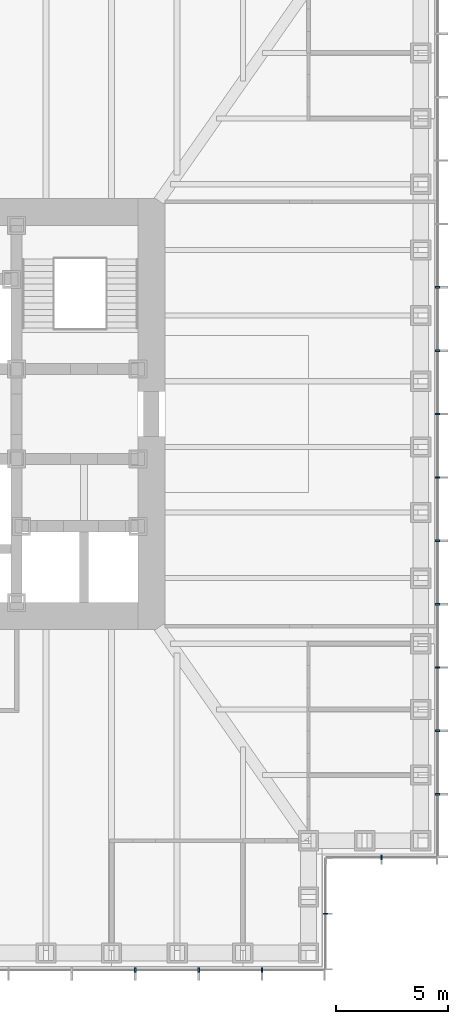
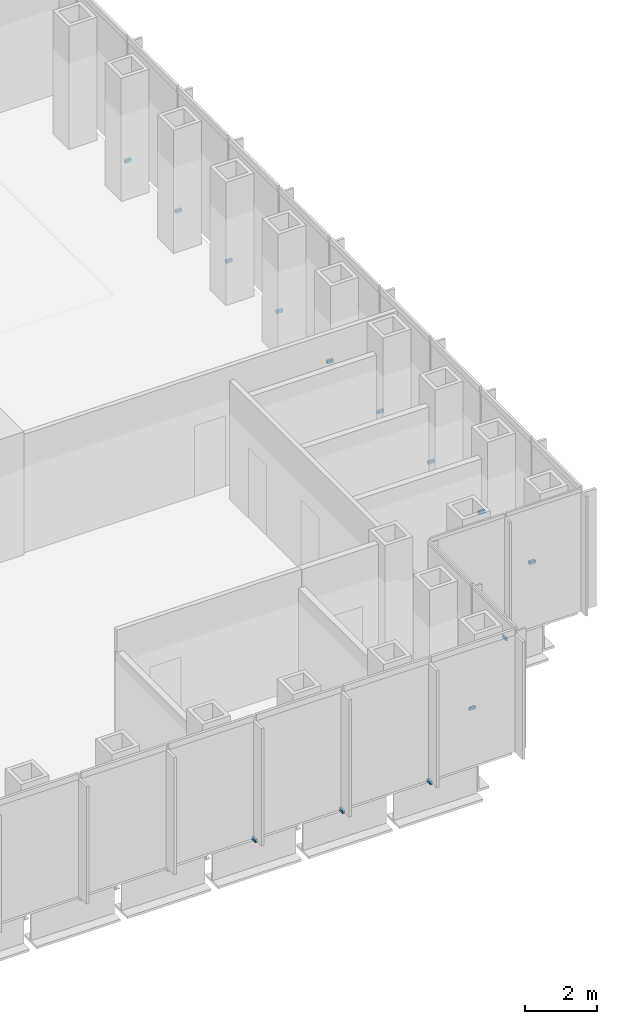
# One storey, part 14 of 17: 14 discrete accessories.
"""IFC4 building model written with IfcOpenShell, lengths in metres."""

from ifc_helpers import new_model, si_unit, direction, frame, origin, origin_2d, place, context, subcontext, project, spatial, rectangle, extrude, element, save


model = new_model("IFC4")

# Units and contexts
model_context = context("Model", 3, precision=1e-05, world=origin(), true_north=direction((0.0, 1.0)))
body_context = subcontext(model_context, "Body", "Model", "MODEL_VIEW")
ifc_project = project(units=[si_unit("LENGTHUNIT", "METRE"), si_unit("AREAUNIT", "SQUARE_METRE"), si_unit("VOLUMEUNIT", "CUBIC_METRE"), si_unit("PLANEANGLEUNIT", "RADIAN"), si_unit("MASSUNIT", "GRAM", prefix="KILO")], contexts=[model_context])

# Site, building, storey
site_placement = place(None, origin())
site = spatial("IfcSite", under=ifc_project, at=site_placement, CompositionType="ELEMENT")
building_placement = place(site_placement, origin())
building = spatial("IfcBuilding", under=site, at=building_placement, Name="Daluyong Arena Tower", CompositionType="ELEMENT")
storey_placement = place(building_placement, frame((0.0, 0.0, 85.300048828125)))
storey = spatial("IfcBuildingStorey", under=building, at=storey_placement, Name="L18", CompositionType="ELEMENT", Elevation=85.300048828125)

# Discrete accessories
for number, where, z_axis, x_axis, name in (
    (1, (67.28564453125, 55.25, -0.10009765625), (0.0, 0.0, 1.0), (1.0, 0.0, 0.0), "curtain wall L18 S anchor bracket 12"),
    (2, (70.107177734375, 55.25, -0.10009765625), (0.0, 0.0, 1.0), (1.0, 0.0, 0.0), "curtain wall L18 S anchor bracket 13"),
    (3, (72.928466796875, 55.25, -0.10009765625), (0.0, 0.0, 1.0), (1.0, 0.0, 0.0), "curtain wall L18 S anchor bracket 14"),
):
    element("IfcDiscreteAccessory", number, at=place(storey_placement, frame(where, z_axis=z_axis, x_axis=x_axis)), inside=storey, Name=name, PredefinedType="BRACKET", context=body_context, shape_type="SweptSolid", body=[
        extrude(rectangle(XDim=0.080078125, YDim=0.199951171875, at=origin_2d()), origin(), (0.0, 0.0, 1.0), 0.10009765625),
    ])
for number, where, z_axis, x_axis, name in (
    (4, (75.75, 57.75, -0.10009765625), (0.0, 0.0, 1.0), (0.0, 1.0, 0.0), "curtain wall L18 SE-E anchor bracket 2"),
    (5, (78.25, 60.25, -0.10009765625), (0.0, 0.0, 1.0), (1.0, 0.0, 0.0), "curtain wall L18 SE-S anchor bracket 2"),
):
    element("IfcDiscreteAccessory", number, at=place(storey_placement, frame(where, z_axis=z_axis, x_axis=x_axis)), inside=storey, Name=name, PredefinedType="BRACKET", context=body_context, shape_type="SweptSolid", body=[
        extrude(rectangle(XDim=0.06005859375, YDim=0.199951171875, at=origin_2d()), origin(), (0.0, 0.0, 1.0), 0.10009765625),
    ])
for number, where, z_axis, x_axis, name in (
    (6, (80.75, 63.071533203125, -0.10009765625), (0.0, 0.0, 1.0), (0.0, 1.0, 0.0), "curtain wall L18 E anchor bracket 2"),
    (7, (80.75, 65.892822265625, -0.10009765625), (0.0, 0.0, 1.0), (0.0, 1.0, 0.0), "curtain wall L18 E anchor bracket 3"),
    (8, (80.75, 68.71435546875, -0.10009765625), (0.0, 0.0, 1.0), (0.0, 1.0, 0.0), "curtain wall L18 E anchor bracket 4"),
    (9, (80.75, 71.53564453125, -0.10009765625), (0.0, 0.0, 1.0), (0.0, 1.0, 0.0), "curtain wall L18 E anchor bracket 5"),
    (10, (80.75, 74.357177734375, -0.10009765625), (0.0, 0.0, 1.0), (0.0, 1.0, 0.0), "curtain wall L18 E anchor bracket 6"),
    (11, (80.75, 77.178466796875, -0.10009765625), (0.0, 0.0, 1.0), (0.0, 1.0, 0.0), "curtain wall L18 E anchor bracket 7"),
    (12, (80.75, 80.0, -0.10009765625), (0.0, 0.0, 1.0), (0.0, 1.0, 0.0), "curtain wall L18 E anchor bracket 8"),
    (13, (80.75, 82.821533203125, -0.10009765625), (0.0, 0.0, 1.0), (0.0, 1.0, 0.0), "curtain wall L18 E anchor bracket 9"),
    (14, (80.75, 85.642822265625, -0.10009765625), (0.0, 0.0, 1.0), (0.0, 1.0, 0.0), "curtain wall L18 E anchor bracket 10"),
):
    element("IfcDiscreteAccessory", number, at=place(storey_placement, frame(where, z_axis=z_axis, x_axis=x_axis)), inside=storey, Name=name, PredefinedType="BRACKET", context=body_context, shape_type="SweptSolid", body=[
        extrude(rectangle(XDim=0.080078125, YDim=0.199951171875, at=origin_2d()), origin(), (0.0, 0.0, 1.0), 0.10009765625),
    ])

save(model, "model.ifc")
